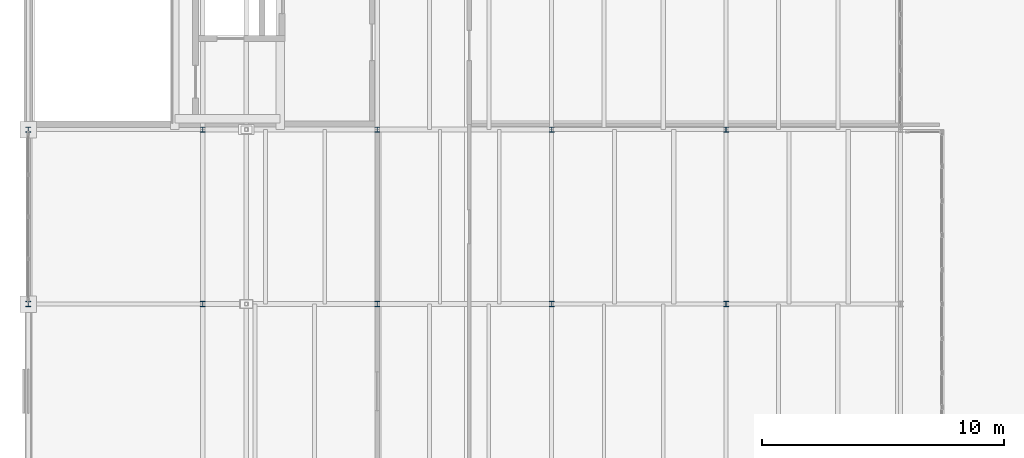
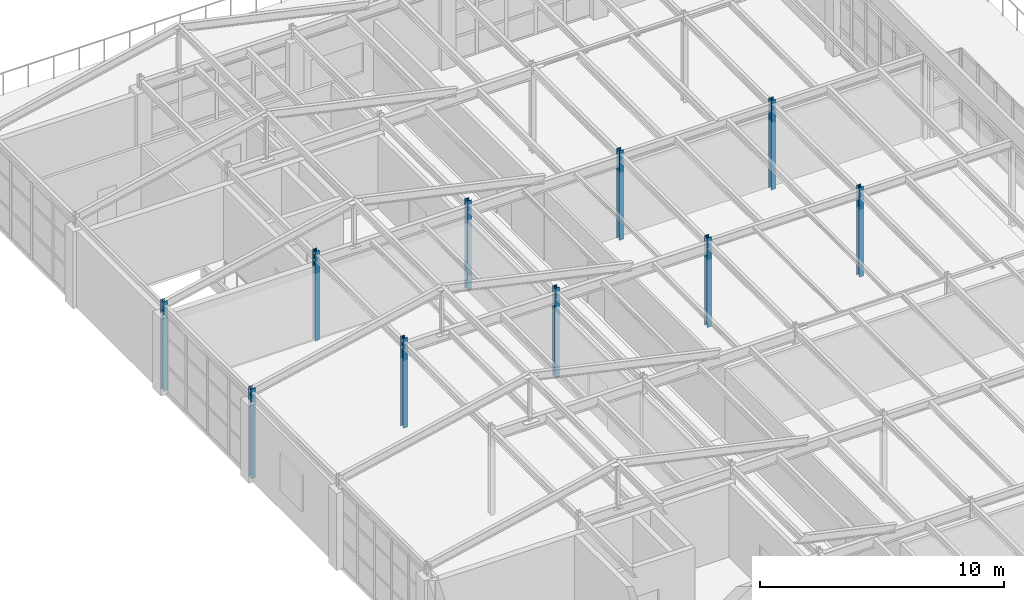
# One storey, part 5 of 43: 10 columns.
"""IFC4 building model written with IfcOpenShell, lengths in metres."""

from ifc_helpers import new_model, si_unit, direction, frame, origin, origin_2d, place, context, subcontext, project, spatial, i_section, extrude, material, material_profile, profile_set, type_object, element, save


model = new_model("IFC4")

# Units and contexts
model_context = context("Model", 3, precision=1e-05, world=origin(), true_north=direction((0.0, 1.0)))
body_context = subcontext(model_context, "Body", "Model", "MODEL_VIEW")
ifc_project = project(units=[si_unit("LENGTHUNIT", "METRE"), si_unit("AREAUNIT", "SQUARE_METRE"), si_unit("VOLUMEUNIT", "CUBIC_METRE"), si_unit("PLANEANGLEUNIT", "RADIAN"), si_unit("MASSUNIT", "GRAM", prefix="KILO")], contexts=[model_context])

# Site, building, storey
site_placement = place(None, origin())
site = spatial("IfcSite", under=ifc_project, at=site_placement, CompositionType="ELEMENT")
building_placement = place(site_placement, origin())
building = spatial("IfcBuilding", under=site, at=building_placement, Name="Kemerveld Promenade Tramway Depot", CompositionType="ELEMENT")
storey_placement = place(building_placement, frame((0.0, 0.0, 18.89990234375)))
storey = spatial("IfcBuildingStorey", under=building, at=storey_placement, Name="L04", CompositionType="ELEMENT", Elevation=18.89990234375)

# Columns
ifc_material = material(Name="Steel S355", Category="steel")
ifc_material_profile = material_profile(ifc_material, i_section(OverallWidth=0.205810546875, OverallDepth=0.209716796875, WebThickness=0.009521484375, FlangeThickness=0.01416015625, FilletRadius=0.01025390625, at=origin_2d()), Name="203x203x60 UC")
ifc_profile_set = profile_set([ifc_material_profile], Name="Steel S355")
column_type = type_object("IfcColumnType", Name="COL-S10", PredefinedType="COLUMN", material=ifc_profile_set)
for number, where, z_axis, x_axis, name in (
    (1, (0.0, 36.0, 0.0), (0.0, 0.0, 1.0), (1.0, 0.0, 0.0), "COL-L04-01-F"),
    (2, (0.0, 43.199951171875, 0.0), (0.0, 0.0, 1.0), (1.0, 0.0, 0.0), "COL-L04-01-G"),
    (3, (7.199951171875, 36.0, 0.0), (0.0, 0.0, 1.0), (1.0, 0.0, 0.0), "COL-L04-02-F"),
    (4, (7.199951171875, 43.199951171875, 0.0), (0.0, 0.0, 1.0), (1.0, 0.0, 0.0), "COL-L04-02-G"),
    (5, (14.39990234375, 36.0, 0.0), (0.0, 0.0, 1.0), (1.0, 0.0, 0.0), "COL-L04-03-F"),
    (6, (14.39990234375, 43.199951171875, 0.0), (0.0, 0.0, 1.0), (1.0, 0.0, 0.0), "COL-L04-03-G"),
    (7, (21.60009765625, 36.0, 0.0), (0.0, 0.0, 1.0), (1.0, 0.0, 0.0), "COL-L04-04-F"),
    (8, (21.60009765625, 43.199951171875, 0.0), (0.0, 0.0, 1.0), (1.0, 0.0, 0.0), "COL-L04-04-G"),
    (9, (28.800048828125, 36.0, 0.0), (0.0, 0.0, 1.0), (1.0, 0.0, 0.0), "COL-L04-05-F"),
    (10, (28.800048828125, 43.199951171875, 0.0), (0.0, 0.0, 1.0), (1.0, 0.0, 0.0), "COL-L04-05-G"),
):
    element("IfcColumn", number, at=place(storey_placement, frame(where, z_axis=z_axis, x_axis=x_axis)), inside=storey, type_object=column_type, Name=name, PredefinedType="COLUMN", context=body_context, shape_type="SweptSolid", body=[
        extrude(i_section(OverallWidth=0.205810546875, OverallDepth=0.209716796875, WebThickness=0.009521484375, FlangeThickness=0.01416015625, FilletRadius=0.01025390625, at=origin_2d()), origin(), (0.0, 0.0, 1.0), 4.5),
    ])

save(model, "model.ifc")
